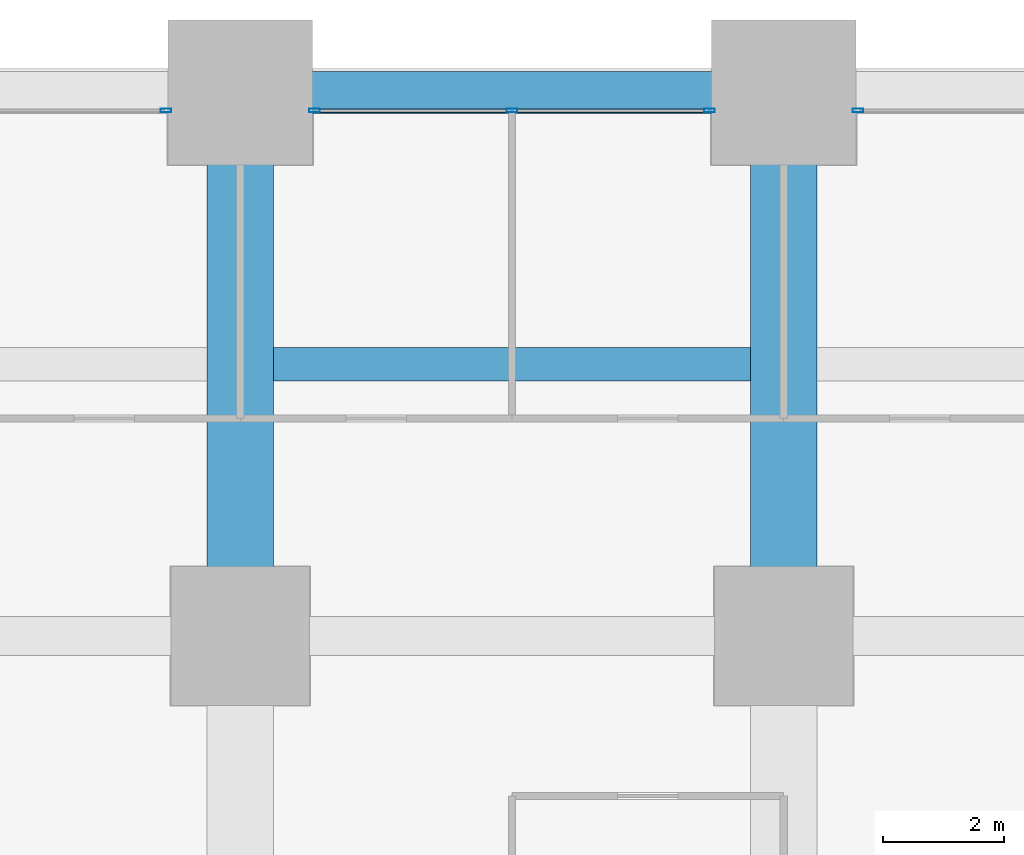
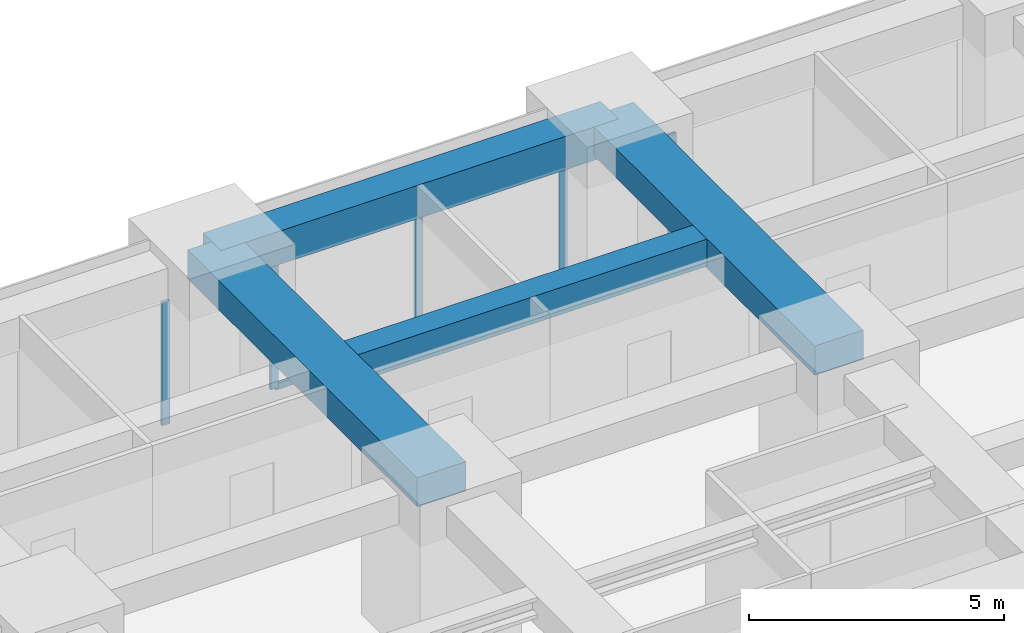
# One storey, part 35 of 44: 6 members, 4 beams, 3 elements without a shape of their own.
"""IFC4 building model written with IfcOpenShell, lengths in metres."""

from ifc_helpers import new_model, si_unit, direction, frame, origin, origin_2d, place, context, subcontext, project, spatial, rectangle, hollow_rectangle, extrude, material, material_profile, profile_set, type_object, element, aggregate, save


model = new_model("IFC4")

# Units and contexts
model_context = context("Model", 3, precision=1e-05, world=origin(), true_north=direction((0.0, 1.0)))
body_context = subcontext(model_context, "Body", "Model", "MODEL_VIEW")
ifc_project = project(units=[si_unit("LENGTHUNIT", "METRE"), si_unit("AREAUNIT", "SQUARE_METRE"), si_unit("VOLUMEUNIT", "CUBIC_METRE"), si_unit("PLANEANGLEUNIT", "RADIAN"), si_unit("MASSUNIT", "GRAM", prefix="KILO")], contexts=[model_context])

# Site, building, storey
site_placement = place(None, origin())
site = spatial("IfcSite", under=ifc_project, at=site_placement, CompositionType="ELEMENT")
building_placement = place(site_placement, origin())
building = spatial("IfcBuilding", under=site, at=building_placement, Name="Zorevar Civic Tower", CompositionType="ELEMENT")
storey_placement = place(building_placement, frame((0.0, 0.0, 31.800048828125)))
storey = spatial("IfcBuildingStorey", under=building, at=storey_placement, Name="L07", CompositionType="ELEMENT", Elevation=31.800048828125)

# Beams
ifc_material_1 = material(Name="Concrete C50/60", Category="concrete")
ifc_material_profile_1 = material_profile(ifc_material_1, rectangle(XDim=1.10009765625, YDim=0.699951171875, at=origin_2d()), Name="RC 1100x700")
ifc_profile_set_1 = profile_set([ifc_material_profile_1], Name="Concrete C50/60")
beam_type_1 = type_object("IfcBeamType", Name="Beam RC 1100x700", PredefinedType="BEAM", material=ifc_profile_set_1)
for number, where, z_axis, x_axis, name in (
    (1, (36.0, 45.0, 3.39990234375), (0.0, 1.0, 0.0), (-1.0, 0.0, 0.0), "Girder L08"),
    (2, (45.0, 45.0, 3.39990234375), (0.0, 1.0, 0.0), (-1.0, 0.0, 0.0), "Girder L08"),
):
    element("IfcBeam", number, at=place(storey_placement, frame(where, z_axis=z_axis, x_axis=x_axis)), inside=storey, type_object=beam_type_1, Name=name, PredefinedType="BEAM", context=body_context, shape_type="SweptSolid", body=[
        extrude(rectangle(XDim=1.10009765625, YDim=0.699951171875, at=origin_2d()), origin(), (0.0, 0.0, 1.0), 9.0),
    ])
ifc_material_2 = material(Name="Concrete C50/60", Category="concrete")
ifc_material_profile_2 = material_profile(ifc_material_2, rectangle(XDim=0.550048828125, YDim=0.64990234375, at=origin_2d()), Name="RC 550x650")
ifc_profile_set_2 = profile_set([ifc_material_profile_2], Name="Concrete C50/60")
beam_type_2 = type_object("IfcBeamType", Name="Beam RC 550x650", PredefinedType="BEAM", material=ifc_profile_set_2)
beam_1_placement = place(storey_placement, frame((36.550048828125, 49.5, 3.425048828125), z_axis=(1.0, 0.0, 0.0), x_axis=(0.0, 1.0, 0.0)))
element("IfcBeam", 3, at=beam_1_placement, inside=storey, type_object=beam_type_2, Name="Secondary beam L08", PredefinedType="BEAM", context=body_context, shape_type="SweptSolid", body=[
    extrude(rectangle(XDim=0.550048828125, YDim=0.64990234375, at=origin_2d()), origin(), (0.0, 0.0, 1.0), 7.89990234375),
])

# Curtain wall, member
ifc_material_3 = material(Name="Dark grey solar-control glass in black aluminium frame", Category="aluminium")
curtain_wall_type = type_object("IfcCurtainWallType", Name="Curtain wall CW2 low zone", PredefinedType="NOTDEFINED", material=ifc_material_3)
curtain_wall_1_placement = place(storey_placement, origin())
curtain_wall_1 = element("IfcCurtainWall", 4, at=curtain_wall_1_placement, inside=storey, type_object=curtain_wall_type, Name="CW2 L07", PredefinedType="NOTDEFINED")
ifc_material_4 = material(Name="Aluminium, black anodised", Category="aluminium")
ifc_material_profile_3 = material_profile(ifc_material_4, hollow_rectangle(XDim=0.06005859375, YDim=0.179931640625, WallThickness=0.00390625, at=origin_2d()), Name="AL 180x60x4")
ifc_profile_set_3 = profile_set([ifc_material_profile_3], Name="Aluminium, black anodised")
member_type_1 = type_object("IfcMemberType", Name="CW2 mullion AL 180x60x4", PredefinedType="MULLION", material=ifc_profile_set_3)
member_1_placement = place(storey_placement, frame((34.77001953125, 53.699951171875, 0.0), z_axis=(0.0, 0.0, 1.0), x_axis=(0.0, 1.0, 0.0)))
member_1 = element("IfcMember", 5, at=member_1_placement, type_object=member_type_1, Name="CW2 mullion 3", PredefinedType="MULLION", context=body_context, shape_type="SweptSolid", body=[
    extrude(hollow_rectangle(XDim=0.06005859375, YDim=0.179931640625, WallThickness=0.00390625, at=origin_2d()), origin(), (0.0, 0.0, 1.0), 2.949951171875),
])
aggregate(curtain_wall_1, [member_1])

# Curtain wall, members
curtain_wall_2_placement = place(storey_placement, origin())
curtain_wall_2 = element("IfcCurtainWall", 6, at=curtain_wall_2_placement, inside=storey, type_object=curtain_wall_type, Name="CW2 L07", PredefinedType="NOTDEFINED")
member_2_placement = place(storey_placement, frame((37.22998046875, 53.699951171875, 0.0), z_axis=(0.0, 0.0, 1.0), x_axis=(0.0, 1.0, 0.0)))
member_2 = element("IfcMember", 7, at=member_2_placement, type_object=member_type_1, Name="CW2 mullion 1", PredefinedType="MULLION", context=body_context, shape_type="SweptSolid", body=[
    extrude(hollow_rectangle(XDim=0.06005859375, YDim=0.179931640625, WallThickness=0.00390625, at=origin_2d()), origin(), (0.0, 0.0, 1.0), 2.949951171875),
])
member_3_placement = place(storey_placement, frame((40.5, 53.699951171875, 0.06005859375), z_axis=(0.0, 0.0, 1.0), x_axis=(0.0, 1.0, 0.0)))
member_3 = element("IfcMember", 8, at=member_3_placement, type_object=member_type_1, Name="CW2 mullion 2", PredefinedType="MULLION", context=body_context, shape_type="SweptSolid", body=[
    extrude(hollow_rectangle(XDim=0.06005859375, YDim=0.179931640625, WallThickness=0.00390625, at=origin_2d()), origin(), (0.0, 0.0, 1.0), 2.889892578125),
])
member_4_placement = place(storey_placement, frame((43.77001953125, 53.699951171875, 0.0), z_axis=(0.0, 0.0, 1.0), x_axis=(0.0, 1.0, 0.0)))
member_4 = element("IfcMember", 9, at=member_4_placement, type_object=member_type_1, Name="CW2 mullion 3", PredefinedType="MULLION", context=body_context, shape_type="SweptSolid", body=[
    extrude(hollow_rectangle(XDim=0.06005859375, YDim=0.179931640625, WallThickness=0.00390625, at=origin_2d()), origin(), (0.0, 0.0, 1.0), 2.949951171875),
])

# Curtain wall, member
curtain_wall_3_placement = place(storey_placement, origin())
curtain_wall_3 = element("IfcCurtainWall", 10, at=curtain_wall_3_placement, inside=storey, type_object=curtain_wall_type, Name="CW2 L07", PredefinedType="NOTDEFINED")
member_5_placement = place(storey_placement, frame((46.22998046875, 53.699951171875, 0.0), z_axis=(0.0, 0.0, 1.0), x_axis=(0.0, 1.0, 0.0)))
member_5 = element("IfcMember", 11, at=member_5_placement, type_object=member_type_1, Name="CW2 mullion 1", PredefinedType="MULLION", context=body_context, shape_type="SweptSolid", body=[
    extrude(hollow_rectangle(XDim=0.06005859375, YDim=0.179931640625, WallThickness=0.00390625, at=origin_2d()), origin(), (0.0, 0.0, 1.0), 2.949951171875),
])
aggregate(curtain_wall_3, [member_5])

# Member
ifc_material_5 = material(Name="Aluminium, black anodised", Category="aluminium")
ifc_material_profile_4 = material_profile(ifc_material_5, hollow_rectangle(XDim=0.06005859375, YDim=0.14990234375, WallThickness=0.00390625, at=origin_2d()), Name="AL 150x60x4")
ifc_profile_set_4 = profile_set([ifc_material_profile_4], Name="Aluminium, black anodised")
member_type_2 = type_object("IfcMemberType", Name="CW2 transom AL 150x60x4", PredefinedType="USERDEFINED", material=ifc_profile_set_4)
member_6_placement = place(storey_placement, frame((37.260009765625, 53.699951171875, 0.030029296875), z_axis=(1.0, 0.0, 0.0), x_axis=(0.0, 1.0, 0.0)))
member_6 = element("IfcMember", 12, at=member_6_placement, type_object=member_type_2, Name="CW2 sill transom", ObjectType="TRANSOM", PredefinedType="USERDEFINED", context=body_context, shape_type="SweptSolid", body=[
    extrude(hollow_rectangle(XDim=0.06005859375, YDim=0.14990234375, WallThickness=0.00390625, at=origin_2d()), origin(), (0.0, 0.0, 1.0), 6.47998046875),
])

aggregate(curtain_wall_2, [member_2, member_3, member_4, member_6])

# Beam
ifc_material_6 = material(Name="Concrete C50/60", Category="concrete")
ifc_material_profile_5 = material_profile(ifc_material_6, rectangle(XDim=0.699951171875, YDim=0.800048828125, at=origin_2d()), Name="RC 700x800")
ifc_profile_set_5 = profile_set([ifc_material_profile_5], Name="Concrete C50/60")
beam_type_3 = type_object("IfcBeamType", Name="Edge beam RC 700x800", PredefinedType="SPANDREL", material=ifc_profile_set_5)
beam_2_placement = place(storey_placement, frame((36.0, 54.0, 3.349853515625), z_axis=(1.0, 0.0, 0.0), x_axis=(0.0, 1.0, 0.0)))
element("IfcBeam", 13, at=beam_2_placement, inside=storey, type_object=beam_type_3, Name="Edge beam L08", PredefinedType="SPANDREL", context=body_context, shape_type="SweptSolid", body=[
    extrude(rectangle(XDim=0.699951171875, YDim=0.800048828125, at=origin_2d()), origin(), (0.0, 0.0, 1.0), 9.0),
])

save(model, "model.ifc")
